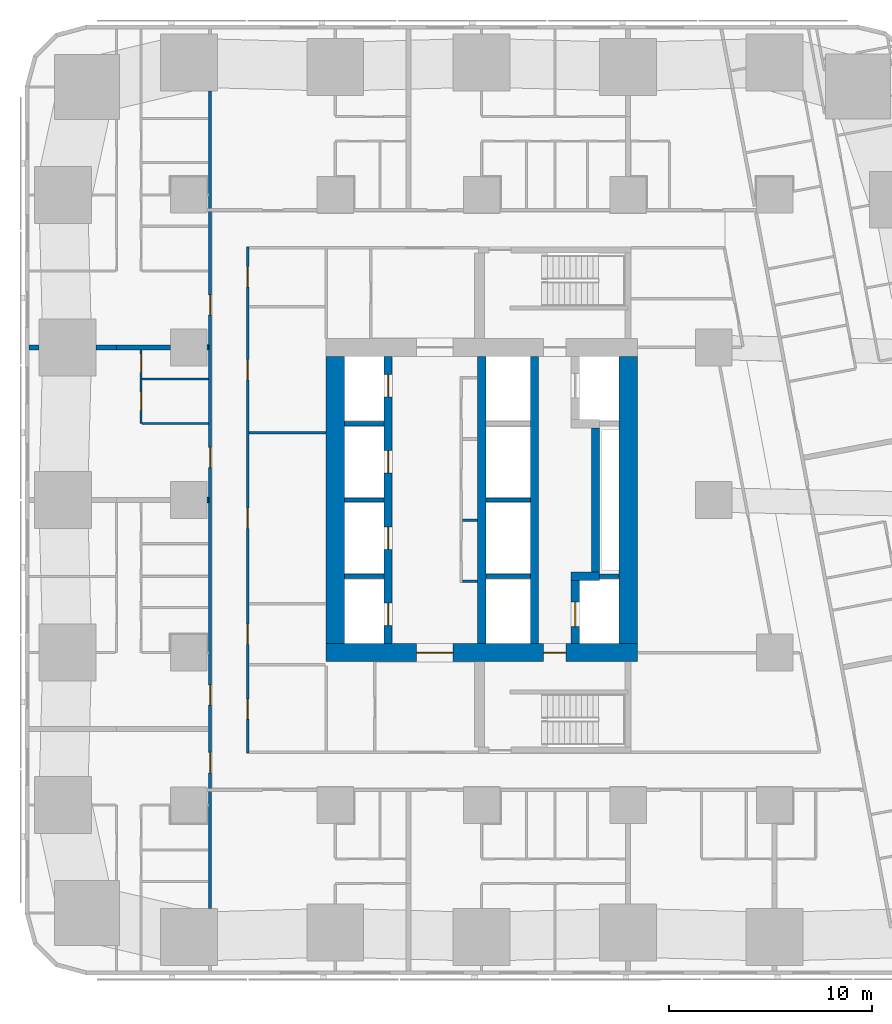
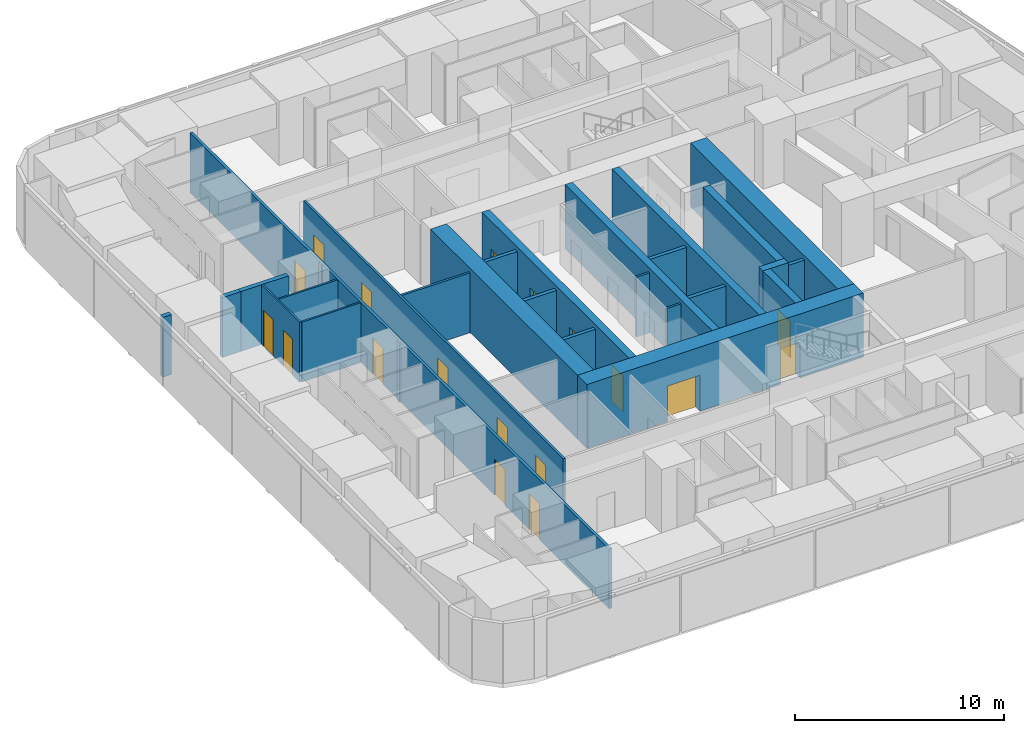
# One storey, part 6 of 16: 28 walls, 18 doors, 18 openings.
"""IFC4 building model written with IfcOpenShell, lengths in metres."""

from ifc_helpers import new_model, si_unit, direction, frame, frame_2d, origin, place, context, subcontext, project, spatial, rectangle, extrude, material, layer, layer_set, type_object, element, fill, save


model = new_model("IFC4")

# Units and contexts
model_context = context("Model", 3, precision=1e-05, world=origin(), true_north=direction((0.0, 1.0)))
body_context = subcontext(model_context, "Body", "Model", "MODEL_VIEW")
ifc_project = project(units=[si_unit("LENGTHUNIT", "METRE"), si_unit("AREAUNIT", "SQUARE_METRE"), si_unit("VOLUMEUNIT", "CUBIC_METRE"), si_unit("PLANEANGLEUNIT", "RADIAN"), si_unit("MASSUNIT", "GRAM", prefix="KILO")], contexts=[model_context])

# Site, building, storey
site_placement = place(None, origin())
site = spatial("IfcSite", under=ifc_project, at=site_placement, CompositionType="ELEMENT")
building_placement = place(site_placement, origin())
building = spatial("IfcBuilding", under=site, at=building_placement, Name="Sheger Commons Tower", CompositionType="ELEMENT")
storey_placement = place(building_placement, frame((0.0, 0.0, 53.75)))
storey = spatial("IfcBuildingStorey", under=building, at=storey_placement, Name="L13", CompositionType="ELEMENT", Elevation=53.75)

# Wall, openings, doors
ifc_material_1 = material(Name="Concrete C50/60", Category="concrete")
ifc_layer_1 = layer(ifc_material_1, 0.39990234375)
ifc_layer_set_1 = layer_set([ifc_layer_1], Name="CORE INNER WALL 400")
wall_type_1 = type_object("IfcWallType", Name="CORE INNER WALL 400", PredefinedType="SHEAR", material=ifc_layer_set_1)
wall_1_placement = place(storey_placement, frame((17.0, 15.449951171875, 0.0), z_axis=(0.0, 0.0, 1.0), x_axis=(0.0, 1.0, 0.0)))
wall_1 = element("IfcWall", 1, at=wall_1_placement, inside=storey, type_object=wall_type_1, Name="Core inner wall A L13", PredefinedType="SHEAR", context=body_context, shape_type="SweptSolid", body=[
    extrude(rectangle(XDim=14.10009765625, YDim=0.39990234375, at=frame_2d((7.050048828125, 0.0))), origin(), (0.0, 0.0, 1.0), 3.75),
])
opening_1_placement = place(wall_1_placement, frame((0.875, 0.0, 0.0)))
opening_1 = element("IfcOpeningElement", 2, at=opening_1_placement, cuts=wall_1, Name="Opening LD", PredefinedType="OPENING", context=body_context, shape_type="SweptSolid", body=[
    extrude(rectangle(XDim=1.10009765625, YDim=2.10009765625, at=frame_2d((0.550048828125, 1.050048828125))), frame((0.0, 0.2099609375, 0.0), z_axis=(0.0, -1.0, 0.0), x_axis=(1.0, 0.0, 0.0)), (0.0, 0.0, 1.0), 0.419921875),
])
opening_2_placement = place(wall_1_placement, frame((4.625, 0.0, 0.0)))
opening_2 = element("IfcOpeningElement", 3, at=opening_2_placement, cuts=wall_1, Name="Opening LD", PredefinedType="OPENING", context=body_context, shape_type="SweptSolid", body=[
    extrude(rectangle(XDim=1.10009765625, YDim=2.10009765625, at=frame_2d((0.550048828125, 1.050048828125))), frame((0.0, 0.2099609375, 0.0), z_axis=(0.0, -1.0, 0.0), x_axis=(1.0, 0.0, 0.0)), (0.0, 0.0, 1.0), 0.419921875),
])
opening_3_placement = place(wall_1_placement, frame((8.375, 0.0, 0.0)))
opening_3 = element("IfcOpeningElement", 4, at=opening_3_placement, cuts=wall_1, Name="Opening LD", PredefinedType="OPENING", context=body_context, shape_type="SweptSolid", body=[
    extrude(rectangle(XDim=1.10009765625, YDim=2.10009765625, at=frame_2d((0.550048828125, 1.050048828125))), frame((0.0, 0.2099609375, 0.0), z_axis=(0.0, -1.0, 0.0), x_axis=(1.0, 0.0, 0.0)), (0.0, 0.0, 1.0), 0.419921875),
])
opening_4_placement = place(wall_1_placement, frame((12.125, 0.0, 0.0)))
opening_4 = element("IfcOpeningElement", 5, at=opening_4_placement, cuts=wall_1, Name="Opening LD", PredefinedType="OPENING", context=body_context, shape_type="SweptSolid", body=[
    extrude(rectangle(XDim=1.10009765625, YDim=2.10009765625, at=frame_2d((0.550048828125, 1.050048828125))), frame((0.0, 0.2099609375, 0.0), z_axis=(0.0, -1.0, 0.0), x_axis=(1.0, 0.0, 0.0)), (0.0, 0.0, 1.0), 0.419921875),
])
ifc_material_2 = material(Name="Steel door set, fire rated", Category="steel")
door_type_1 = type_object("IfcDoorType", Name="LIFT LANDING DOOR 1100x2100", OperationType="DOUBLE_DOOR_SLIDING", PredefinedType="DOOR", material=ifc_material_2)
door_1_placement = place(opening_1_placement, origin())
door_1 = element("IfcDoor", 6, at=door_1_placement, inside=storey, type_object=door_type_1, Name="Lift LA1 landing door", OperationType="DOUBLE_DOOR_SLIDING", OverallHeight=2.10009765625, OverallWidth=1.10009765625, PredefinedType="DOOR", context=body_context, shape_type="SweptSolid", body=[
    extrude(rectangle(XDim=1.10009765625, YDim=2.10009765625, at=frame_2d((0.550048828125, 1.050048828125))), frame((0.0, 0.02490234375, 0.0), z_axis=(0.0, -1.0, 0.0), x_axis=(1.0, 0.0, 0.0)), (0.0, 0.0, 1.0), 0.050048828125),
])
fill(opening_1, door_1)
door_2_placement = place(opening_2_placement, origin())
door_2 = element("IfcDoor", 7, at=door_2_placement, inside=storey, type_object=door_type_1, Name="Lift LA2 landing door", OperationType="DOUBLE_DOOR_SLIDING", OverallHeight=2.10009765625, OverallWidth=1.10009765625, PredefinedType="DOOR", context=body_context, shape_type="SweptSolid", body=[
    extrude(rectangle(XDim=1.10009765625, YDim=2.10009765625, at=frame_2d((0.550048828125, 1.050048828125))), frame((0.0, 0.02490234375, 0.0), z_axis=(0.0, -1.0, 0.0), x_axis=(1.0, 0.0, 0.0)), (0.0, 0.0, 1.0), 0.050048828125),
])
fill(opening_2, door_2)
door_3_placement = place(opening_3_placement, origin())
door_3 = element("IfcDoor", 8, at=door_3_placement, inside=storey, type_object=door_type_1, Name="Lift LA3 landing door", OperationType="DOUBLE_DOOR_SLIDING", OverallHeight=2.10009765625, OverallWidth=1.10009765625, PredefinedType="DOOR", context=body_context, shape_type="SweptSolid", body=[
    extrude(rectangle(XDim=1.10009765625, YDim=2.10009765625, at=frame_2d((0.550048828125, 1.050048828125))), frame((0.0, 0.02490234375, 0.0), z_axis=(0.0, -1.0, 0.0), x_axis=(1.0, 0.0, 0.0)), (0.0, 0.0, 1.0), 0.050048828125),
])
fill(opening_3, door_3)
door_4_placement = place(opening_4_placement, origin())
door_4 = element("IfcDoor", 9, at=door_4_placement, inside=storey, type_object=door_type_1, Name="Lift LA4 landing door", OperationType="DOUBLE_DOOR_SLIDING", OverallHeight=2.10009765625, OverallWidth=1.10009765625, PredefinedType="DOOR", context=body_context, shape_type="SweptSolid", body=[
    extrude(rectangle(XDim=1.10009765625, YDim=2.10009765625, at=frame_2d((0.550048828125, 1.050048828125))), frame((0.0, 0.02490234375, 0.0), z_axis=(0.0, -1.0, 0.0), x_axis=(1.0, 0.0, 0.0)), (0.0, 0.0, 1.0), 0.050048828125),
])
fill(opening_4, door_4)

# Walls
for number, where, z_axis, x_axis, name in (
    (10, (21.60009765625, 15.449951171875, 0.0), (0.0, 0.0, 1.0), (0.0, 1.0, 0.0), "Core inner wall L L13"),
    (11, (24.199951171875, 15.449951171875, 0.0), (0.0, 0.0, 1.0), (0.0, 1.0, 0.0), "Core inner wall B L13"),
):
    element("IfcWall", number, at=place(storey_placement, frame(where, z_axis=z_axis, x_axis=x_axis)), inside=storey, type_object=wall_type_1, Name=name, PredefinedType="SHEAR", context=body_context, shape_type="SweptSolid", body=[
        extrude(rectangle(XDim=14.10009765625, YDim=0.39990234375, at=frame_2d((7.050048828125, 0.0))), origin(), (0.0, 0.0, 1.0), 3.75),
    ])

# Wall, opening, door
wall_2_placement = place(storey_placement, frame((26.199951171875, 15.449951171875, 0.0), z_axis=(0.0, 0.0, 1.0), x_axis=(0.0, 1.0, 0.0)))
wall_2 = element("IfcWall", 12, at=wall_2_placement, inside=storey, type_object=wall_type_1, Name="Core inner wall F L13", PredefinedType="SHEAR", context=body_context, shape_type="SweptSolid", body=[
    extrude(rectangle(XDim=3.10009765625, YDim=0.39990234375, at=frame_2d((1.550048828125, 0.0))), origin(), (0.0, 0.0, 1.0), 3.75),
])
opening_5_placement = place(wall_2_placement, frame((0.824951171875, 0.0, 0.0)))
opening_5 = element("IfcOpeningElement", 13, at=opening_5_placement, cuts=wall_2, Name="Opening LD2", PredefinedType="OPENING", context=body_context, shape_type="SweptSolid", body=[
    extrude(rectangle(XDim=1.199951171875, YDim=2.10009765625, at=frame_2d((0.60009765625, 1.050048828125))), frame((0.0, 0.2099609375, 0.0), z_axis=(0.0, -1.0, 0.0), x_axis=(1.0, 0.0, 0.0)), (0.0, 0.0, 1.0), 0.419921875),
])
ifc_material_3 = material(Name="Steel door set, fire rated", Category="steel")
door_type_2 = type_object("IfcDoorType", Name="FIREFIGHTING LIFT LANDING DOOR 1200x2100", OperationType="DOUBLE_DOOR_SLIDING", PredefinedType="DOOR", material=ifc_material_3)
door_5_placement = place(opening_5_placement, origin())
door_5 = element("IfcDoor", 14, at=door_5_placement, inside=storey, type_object=door_type_2, Name="Lift FL1 landing door", OperationType="DOUBLE_DOOR_SLIDING", OverallHeight=2.10009765625, OverallWidth=1.199951171875, PredefinedType="DOOR", context=body_context, shape_type="SweptSolid", body=[
    extrude(rectangle(XDim=1.199951171875, YDim=2.10009765625, at=frame_2d((0.60009765625, 1.050048828125))), frame((0.0, 0.02490234375, 0.0), z_axis=(0.0, -1.0, 0.0), x_axis=(1.0, 0.0, 0.0)), (0.0, 0.0, 1.0), 0.050048828125),
])
fill(opening_5, door_5)

# Walls
wall_3_placement = place(storey_placement, frame((26.0, 18.75, 0.0), z_axis=(0.0, 0.0, 1.0), x_axis=(1.0, 0.0, 0.0)))
element("IfcWall", 15, at=wall_3_placement, inside=storey, type_object=wall_type_1, Name="Core inner wall F south return L13", PredefinedType="SHEAR", context=body_context, shape_type="SweptSolid", body=[
    extrude(rectangle(XDim=1.39990234375, YDim=0.39990234375, at=frame_2d((0.699951171875, 0.0))), origin(), (0.0, 0.0, 1.0), 3.75),
])
wall_4_placement = place(storey_placement, frame((27.199951171875, 18.949951171875, 0.0), z_axis=(0.0, 0.0, 1.0), x_axis=(0.0, 1.0, 0.0)))
element("IfcWall", 16, at=wall_4_placement, inside=storey, type_object=wall_type_1, Name="Core inner wall F middle L13", PredefinedType="SHEAR", context=body_context, shape_type="SweptSolid", body=[
    extrude(rectangle(XDim=7.10009765625, YDim=0.39990234375, at=frame_2d((3.550048828125, 0.0))), origin(), (0.0, 0.0, 1.0), 3.75),
])

# Wall, openings, doors
ifc_material_4 = material(Name="Concrete C50/60", Category="concrete")
ifc_layer_2 = layer(ifc_material_4, 0.89990234375)
ifc_layer_set_2 = layer_set([ifc_layer_2], Name="CORE WALL 900")
wall_type_2 = type_object("IfcWallType", Name="CORE WALL 900", PredefinedType="SHEAR", material=ifc_layer_set_2)
wall_5_placement = place(storey_placement, frame((13.949951171875, 15.0, 0.0), z_axis=(0.0, 0.0, 1.0), x_axis=(1.0, 0.0, 0.0)))
wall_5 = element("IfcWall", 17, at=wall_5_placement, inside=storey, type_object=wall_type_2, Name="Core wall south L13", PredefinedType="SHEAR", context=body_context, shape_type="SweptSolid", body=[
    extrude(rectangle(XDim=15.300048828125, YDim=0.89990234375, at=frame_2d((7.64990234375, 0.0))), origin(), (0.0, 0.0, 1.0), 3.75),
])
opening_6_placement = place(wall_5_placement, frame((4.449951171875, 0.0, 0.0)))
opening_6 = element("IfcOpeningElement", 18, at=opening_6_placement, cuts=wall_5, Name="Opening D6", PredefinedType="OPENING", context=body_context, shape_type="SweptSolid", body=[
    extrude(rectangle(XDim=1.800048828125, YDim=2.10009765625, at=frame_2d((0.89990234375, 1.050048828125))), frame((0.0, 0.4599609375, 0.0), z_axis=(0.0, -1.0, 0.0), x_axis=(1.0, 0.0, 0.0)), (0.0, 0.0, 1.0), 0.919921875),
])
opening_7_placement = place(wall_5_placement, frame((10.699951171875, 0.0, 0.0)))
opening_7 = element("IfcOpeningElement", 19, at=opening_7_placement, cuts=wall_5, Name="Opening D5", PredefinedType="OPENING", context=body_context, shape_type="SweptSolid", body=[
    extrude(rectangle(XDim=1.10009765625, YDim=2.10009765625, at=frame_2d((0.550048828125, 1.050048828125))), frame((0.0, 0.4599609375, 0.0), z_axis=(0.0, -1.0, 0.0), x_axis=(1.0, 0.0, 0.0)), (0.0, 0.0, 1.0), 0.919921875),
])
ifc_material_5 = material(Name="Steel door set, fire rated", Category="steel")
door_type_3 = type_object("IfcDoorType", Name="LOBBY DOUBLE DOOR 1800x2100", OperationType="DOUBLE_DOOR_SINGLE_SWING", PredefinedType="DOOR", material=ifc_material_5)
door_6_placement = place(opening_6_placement, origin())
door_6 = element("IfcDoor", 20, at=door_6_placement, inside=storey, type_object=door_type_3, Name="Lift lobby door", OperationType="DOUBLE_DOOR_SINGLE_SWING", OverallHeight=2.10009765625, OverallWidth=1.800048828125, PredefinedType="DOOR", context=body_context, shape_type="SweptSolid", body=[
    extrude(rectangle(XDim=1.800048828125, YDim=2.10009765625, at=frame_2d((0.89990234375, 1.050048828125))), frame((0.0, 0.02490234375, 0.0), z_axis=(0.0, -1.0, 0.0), x_axis=(1.0, 0.0, 0.0)), (0.0, 0.0, 1.0), 0.050048828125),
])
fill(opening_6, door_6)
ifc_material_6 = material(Name="Steel door set, fire rated", Category="steel")
door_type_4 = type_object("IfcDoorType", Name="STAIR DOOR 1100x2100", OperationType="NOTDEFINED", PredefinedType="DOOR", material=ifc_material_6)
door_7_placement = place(opening_7_placement, origin())
door_7 = element("IfcDoor", 21, at=door_7_placement, inside=storey, type_object=door_type_4, Name="Fire-fighting lobby door", OperationType="SINGLE_SWING_LEFT", OverallHeight=2.10009765625, OverallWidth=1.10009765625, PredefinedType="DOOR", context=body_context, shape_type="SweptSolid", body=[
    extrude(rectangle(XDim=1.10009765625, YDim=2.10009765625, at=frame_2d((0.550048828125, 1.050048828125))), frame((0.0, 0.02490234375, 0.0), z_axis=(0.0, -1.0, 0.0), x_axis=(1.0, 0.0, 0.0)), (0.0, 0.0, 1.0), 0.050048828125),
])
fill(opening_7, door_7)

# Walls
for number, where, z_axis, x_axis, name in (
    (22, (14.39990234375, 15.449951171875, 0.0), (0.0, 0.0, 1.0), (0.0, 1.0, 0.0), "Core wall west L13"),
    (23, (28.800048828125, 15.449951171875, 0.0), (0.0, 0.0, 1.0), (0.0, 1.0, 0.0), "Core wall east L13"),
):
    element("IfcWall", number, at=place(storey_placement, frame(where, z_axis=z_axis, x_axis=x_axis)), inside=storey, type_object=wall_type_2, Name=name, PredefinedType="SHEAR", context=body_context, shape_type="SweptSolid", body=[
        extrude(rectangle(XDim=14.10009765625, YDim=0.89990234375, at=frame_2d((7.050048828125, 0.0))), origin(), (0.0, 0.0, 1.0), 3.75),
    ])

# Wall, openings, doors
ifc_material_7 = material(Name="Hollow concrete block masonry, skimmed both sides", Category="masonry")
ifc_layer_3 = layer(ifc_material_7, 0.14990234375)
ifc_layer_set_3 = layer_set([ifc_layer_3], Name="CORRIDOR WALL 150")
wall_type_3 = type_object("IfcWallType", Name="CORRIDOR WALL 150", PredefinedType="SOLIDWALL", material=ifc_layer_set_3)
wall_6_placement = place(storey_placement, frame((8.25, 2.426025390625, 0.0), z_axis=(0.0, 0.0, 1.0), x_axis=(0.0, 1.0, 0.0)))
wall_6 = element("IfcWall", 24, at=wall_6_placement, inside=storey, type_object=wall_type_3, Name="Corridor wall L13", PredefinedType="SOLIDWALL", context=body_context, shape_type="SweptSolid", body=[
    extrude(rectangle(XDim=40.173095703125, YDim=0.14990234375, at=frame_2d((20.08642578125, 0.0))), origin(), (0.0, 0.0, 1.0), 3.5),
])
opening_8_placement = place(wall_6_placement, frame((6.660888671875, 0.0, 0.0)))
opening_8 = element("IfcOpeningElement", 25, at=opening_8_placement, cuts=wall_6, Name="Opening D1", PredefinedType="OPENING", context=body_context, shape_type="SweptSolid", body=[
    extrude(rectangle(XDim=1.0, YDim=2.10009765625, at=frame_2d((0.5, 1.050048828125))), frame((0.0, 0.0849609375, 0.0), z_axis=(0.0, -1.0, 0.0), x_axis=(1.0, 0.0, 0.0)), (0.0, 0.0, 1.0), 0.169921875),
])
opening_9_placement = place(wall_6_placement, frame((9.986083984375, 0.0, 0.0)))
opening_9 = element("IfcOpeningElement", 26, at=opening_9_placement, cuts=wall_6, Name="Opening D1", PredefinedType="OPENING", context=body_context, shape_type="SweptSolid", body=[
    extrude(rectangle(XDim=1.0, YDim=2.10009765625, at=frame_2d((0.5, 1.050048828125))), frame((0.0, 0.0849609375, 0.0), z_axis=(0.0, -1.0, 0.0), x_axis=(1.0, 0.0, 0.0)), (0.0, 0.0, 1.0), 0.169921875),
])
opening_10_placement = place(wall_6_placement, frame((21.662109375, 0.0, 0.0)))
opening_10 = element("IfcOpeningElement", 27, at=opening_10_placement, cuts=wall_6, Name="Opening D1", PredefinedType="OPENING", context=body_context, shape_type="SweptSolid", body=[
    extrude(rectangle(XDim=1.0, YDim=2.10009765625, at=frame_2d((0.5, 1.050048828125))), frame((0.0, 0.0849609375, 0.0), z_axis=(0.0, -1.0, 0.0), x_axis=(1.0, 0.0, 0.0)), (0.0, 0.0, 1.0), 0.169921875),
])
opening_11_placement = place(wall_6_placement, frame((29.160888671875, 0.0, 0.0)))
opening_11 = element("IfcOpeningElement", 28, at=opening_11_placement, cuts=wall_6, Name="Opening D1", PredefinedType="OPENING", context=body_context, shape_type="SweptSolid", body=[
    extrude(rectangle(XDim=1.0, YDim=2.10009765625, at=frame_2d((0.5, 1.050048828125))), frame((0.0, 0.0849609375, 0.0), z_axis=(0.0, -1.0, 0.0), x_axis=(1.0, 0.0, 0.0)), (0.0, 0.0, 1.0), 0.169921875),
])
ifc_material_8 = material(Name="Steel door set, fire rated", Category="steel")
door_type_5 = type_object("IfcDoorType", Name="FLAT ENTRANCE DOOR 1000x2100", OperationType="NOTDEFINED", PredefinedType="DOOR", material=ifc_material_8)
door_8_placement = place(opening_8_placement, origin())
door_8 = element("IfcDoor", 29, at=door_8_placement, inside=storey, type_object=door_type_5, Name="Flat entrance door", OperationType="SINGLE_SWING_RIGHT", OverallHeight=2.10009765625, OverallWidth=1.0, PredefinedType="DOOR", context=body_context, shape_type="SweptSolid", body=[
    extrude(rectangle(XDim=1.0, YDim=2.10009765625, at=frame_2d((0.5, 1.050048828125))), frame((0.0, 0.02490234375, 0.0), z_axis=(0.0, -1.0, 0.0), x_axis=(1.0, 0.0, 0.0)), (0.0, 0.0, 1.0), 0.050048828125),
])
fill(opening_8, door_8)
door_9_placement = place(opening_9_placement, origin())
door_9 = element("IfcDoor", 30, at=door_9_placement, inside=storey, type_object=door_type_5, Name="Flat entrance door", OperationType="SINGLE_SWING_LEFT", OverallHeight=2.10009765625, OverallWidth=1.0, PredefinedType="DOOR", context=body_context, shape_type="SweptSolid", body=[
    extrude(rectangle(XDim=1.0, YDim=2.10009765625, at=frame_2d((0.5, 1.050048828125))), frame((0.0, 0.02490234375, 0.0), z_axis=(0.0, -1.0, 0.0), x_axis=(1.0, 0.0, 0.0)), (0.0, 0.0, 1.0), 0.050048828125),
])
fill(opening_9, door_9)
door_10_placement = place(opening_10_placement, origin())
door_10 = element("IfcDoor", 31, at=door_10_placement, inside=storey, type_object=door_type_5, Name="Flat entrance door", OperationType="SINGLE_SWING_RIGHT", OverallHeight=2.10009765625, OverallWidth=1.0, PredefinedType="DOOR", context=body_context, shape_type="SweptSolid", body=[
    extrude(rectangle(XDim=1.0, YDim=2.10009765625, at=frame_2d((0.5, 1.050048828125))), frame((0.0, 0.02490234375, 0.0), z_axis=(0.0, -1.0, 0.0), x_axis=(1.0, 0.0, 0.0)), (0.0, 0.0, 1.0), 0.050048828125),
])
fill(opening_10, door_10)
door_11_placement = place(opening_11_placement, origin())
door_11 = element("IfcDoor", 32, at=door_11_placement, inside=storey, type_object=door_type_5, Name="Flat entrance door", OperationType="SINGLE_SWING_RIGHT", OverallHeight=2.10009765625, OverallWidth=1.0, PredefinedType="DOOR", context=body_context, shape_type="SweptSolid", body=[
    extrude(rectangle(XDim=1.0, YDim=2.10009765625, at=frame_2d((0.5, 1.050048828125))), frame((0.0, 0.02490234375, 0.0), z_axis=(0.0, -1.0, 0.0), x_axis=(1.0, 0.0, 0.0)), (0.0, 0.0, 1.0), 0.050048828125),
])
fill(opening_11, door_11)

# Walls
ifc_material_9 = material(Name="Dense concrete block masonry, plastered both sides (separating wall between flats)", Category="masonry")
ifc_layer_4 = layer(ifc_material_9, 0.25)
ifc_layer_set_4 = layer_set([ifc_layer_4], Name="DEMISING WALL 250")
wall_type_4 = type_object("IfcWallType", Name="DEMISING WALL 250", PredefinedType="SOLIDWALL", material=ifc_layer_set_4)
wall_7_placement = place(storey_placement, frame((8.10107421875, 22.5, 0.0), z_axis=(0.0, 0.0, 1.0), x_axis=(1.0, 0.0, 0.0)))
element("IfcWall", 33, at=wall_7_placement, inside=storey, type_object=wall_type_4, Name="Demising wall L13", PredefinedType="SOLIDWALL", context=body_context, shape_type="SweptSolid", body=[
    extrude(rectangle(XDim=0.073974609375, YDim=0.25, at=frame_2d((0.037109375, 0.0))), origin(), (0.0, 0.0, 1.0), 3.5),
])
wall_8_placement = place(storey_placement, frame((-0.64990234375, 30.0, 0.0), z_axis=(0.0, 0.0, 1.0), x_axis=(1.0, 0.0, 0.0)))
element("IfcWall", 34, at=wall_8_placement, inside=storey, type_object=wall_type_4, Name="Demising wall L13", PredefinedType="SOLIDWALL", context=body_context, shape_type="SweptSolid", body=[
    extrude(rectangle(XDim=0.473876953125, YDim=0.25, at=frame_2d((0.23681640625, 0.0))), origin(), (0.0, 0.0, 1.0), 3.5),
])
wall_9_placement = place(storey_placement, frame((2.6259765625, 30.0, 0.0), z_axis=(0.0, 0.0, 1.0), x_axis=(1.0, 0.0, 0.0)))
element("IfcWall", 35, at=wall_9_placement, inside=storey, type_object=wall_type_4, Name="Demising wall L13", PredefinedType="SOLIDWALL", context=body_context, shape_type="SweptSolid", body=[
    extrude(rectangle(XDim=1.02392578125, YDim=0.25, at=frame_2d((0.511962890625, 0.0))), origin(), (0.0, 0.0, 1.0), 3.5),
])
wall_10_placement = place(storey_placement, frame((3.64990234375, 30.0, 0.0), z_axis=(0.0, 0.0, 1.0), x_axis=(1.0, 0.0, 0.0)))
element("IfcWall", 36, at=wall_10_placement, inside=storey, type_object=wall_type_4, Name="Demising wall L13", PredefinedType="SOLIDWALL", context=body_context, shape_type="SweptSolid", body=[
    extrude(rectangle(XDim=2.649169921875, YDim=0.25, at=frame_2d((1.32470703125, 0.0))), origin(), (0.0, 0.0, 1.0), 3.5),
])
wall_11_placement = place(storey_placement, frame((8.10107421875, 30.0, 0.0), z_axis=(0.0, 0.0, 1.0), x_axis=(1.0, 0.0, 0.0)))
element("IfcWall", 37, at=wall_11_placement, inside=storey, type_object=wall_type_4, Name="Demising wall L13", PredefinedType="SOLIDWALL", context=body_context, shape_type="SweptSolid", body=[
    extrude(rectangle(XDim=0.073974609375, YDim=0.25, at=frame_2d((0.037109375, 0.0))), origin(), (0.0, 0.0, 1.0), 3.5),
])

# Wall, openings, doors
ifc_material_10 = material(Name="Gypsum board on steel studs", Category="steel")
ifc_layer_5 = layer(ifc_material_10, 0.10009765625)
ifc_layer_set_5 = layer_set([ifc_layer_5], Name="PARTITION 100")
wall_type_5 = type_object("IfcWallType", Name="PARTITION 100", PredefinedType="PARTITIONING", material=ifc_layer_set_5)
wall_12_placement = place(storey_placement, frame((4.85009765625, 26.25, 0.0), z_axis=(0.0, 0.0, 1.0), x_axis=(0.0, 1.0, 0.0)))
wall_12 = element("IfcWall", 38, at=wall_12_placement, inside=storey, type_object=wall_type_5, Name="Partition L13", PredefinedType="PARTITIONING", context=body_context, shape_type="SweptSolid", body=[
    extrude(rectangle(XDim=3.625, YDim=0.10009765625, at=frame_2d((1.8125, 0.0))), origin(), (0.0, 0.0, 1.0), 3.5),
])
opening_12_placement = place(wall_12_placement, frame((0.655029296875, 0.0, 0.0)))
opening_12 = element("IfcOpeningElement", 39, at=opening_12_placement, cuts=wall_12, Name="Opening D2", PredefinedType="OPENING", context=body_context, shape_type="SweptSolid", body=[
    extrude(rectangle(XDim=0.89990234375, YDim=2.10009765625, at=frame_2d((0.449951171875, 1.050048828125))), frame((0.0, 0.06005859375, 0.0), z_axis=(0.0, -1.0, 0.0), x_axis=(1.0, 0.0, 0.0)), (0.0, 0.0, 1.0), 0.1201171875),
])
opening_13_placement = place(wall_12_placement, frame((2.530029296875, 0.0, 0.0)))
opening_13 = element("IfcOpeningElement", 40, at=opening_13_placement, cuts=wall_12, Name="Opening D2", PredefinedType="OPENING", context=body_context, shape_type="SweptSolid", body=[
    extrude(rectangle(XDim=0.89990234375, YDim=2.10009765625, at=frame_2d((0.449951171875, 1.050048828125))), frame((0.0, 0.06005859375, 0.0), z_axis=(0.0, -1.0, 0.0), x_axis=(1.0, 0.0, 0.0)), (0.0, 0.0, 1.0), 0.1201171875),
])
ifc_material_11 = material(Name="Timber door set", Category="wood")
door_type_6 = type_object("IfcDoorType", Name="INTERNAL DOOR 900x2100", OperationType="NOTDEFINED", PredefinedType="DOOR", material=ifc_material_11)
door_12_placement = place(opening_12_placement, origin())
door_12 = element("IfcDoor", 41, at=door_12_placement, inside=storey, type_object=door_type_6, Name="Bathroom door", OperationType="SINGLE_SWING_RIGHT", OverallHeight=2.10009765625, OverallWidth=0.89990234375, PredefinedType="DOOR", context=body_context, shape_type="SweptSolid", body=[
    extrude(rectangle(XDim=0.89990234375, YDim=2.10009765625, at=frame_2d((0.449951171875, 1.050048828125))), frame((0.0, 0.02490234375, 0.0), z_axis=(0.0, -1.0, 0.0), x_axis=(1.0, 0.0, 0.0)), (0.0, 0.0, 1.0), 0.050048828125),
])
fill(opening_12, door_12)
door_13_placement = place(opening_13_placement, origin())
door_13 = element("IfcDoor", 42, at=door_13_placement, inside=storey, type_object=door_type_6, Name="Store door", OperationType="SINGLE_SWING_LEFT", OverallHeight=2.10009765625, OverallWidth=0.89990234375, PredefinedType="DOOR", context=body_context, shape_type="SweptSolid", body=[
    extrude(rectangle(XDim=0.89990234375, YDim=2.10009765625, at=frame_2d((0.449951171875, 1.050048828125))), frame((0.0, 0.02490234375, 0.0), z_axis=(0.0, -1.0, 0.0), x_axis=(1.0, 0.0, 0.0)), (0.0, 0.0, 1.0), 0.050048828125),
])
fill(opening_13, door_13)

# Walls
for number, where, z_axis, x_axis, name in (
    (43, (4.89990234375, 26.25, 0.0), (0.0, 0.0, 1.0), (1.0, 0.0, 0.0), "Partition L13"),
    (44, (4.89990234375, 28.4599609375, 0.0), (0.0, 0.0, 1.0), (1.0, 0.0, 0.0), "Partition L13"),
):
    element("IfcWall", number, at=place(storey_placement, frame(where, z_axis=z_axis, x_axis=x_axis)), inside=storey, type_object=wall_type_5, Name=name, PredefinedType="PARTITIONING", context=body_context, shape_type="SweptSolid", body=[
        extrude(rectangle(XDim=3.275146484375, YDim=0.10009765625, at=frame_2d((1.6376953125, 0.0))), origin(), (0.0, 0.0, 1.0), 3.5),
    ])

# Wall, openings, doors
ifc_material_12 = material(Name="Gypsum board on steel studs, two layers each side, fire rated", Category="steel")
ifc_layer_6 = layer(ifc_material_12, 0.125)
ifc_layer_set_6 = layer_set([ifc_layer_6], Name="SERVICE WALL 125")
wall_type_6 = type_object("IfcWallType", Name="SERVICE WALL 125", PredefinedType="PARTITIONING", material=ifc_layer_set_6)
wall_13_placement = place(storey_placement, frame((10.10009765625, 10.050048828125, 0.0), z_axis=(0.0, 0.0, 1.0), x_axis=(0.0, 1.0, 0.0)))
wall_13 = element("IfcWall", 45, at=wall_13_placement, inside=storey, type_object=wall_type_6, Name="Service room wall L13", PredefinedType="PARTITIONING", context=body_context, shape_type="SweptSolid", body=[
    extrude(rectangle(XDim=24.89990234375, YDim=0.125, at=frame_2d((12.449951171875, 0.0))), origin(), (0.0, 0.0, 1.0), 3.5),
])
opening_14_placement = place(wall_13_placement, frame((1.675048828125, 0.0, 0.0)))
opening_14 = element("IfcOpeningElement", 46, at=opening_14_placement, cuts=wall_13, Name="Opening D4", PredefinedType="OPENING", context=body_context, shape_type="SweptSolid", body=[
    extrude(rectangle(XDim=1.0, YDim=2.10009765625, at=frame_2d((0.5, 1.050048828125))), frame((0.0, 0.072509765625, 0.0), z_axis=(0.0, -1.0, 0.0), x_axis=(1.0, 0.0, 0.0)), (0.0, 0.0, 1.0), 0.14501953125),
])
opening_15_placement = place(wall_13_placement, frame((5.35009765625, 0.0, 0.0)))
opening_15 = element("IfcOpeningElement", 47, at=opening_15_placement, cuts=wall_13, Name="Opening D4", PredefinedType="OPENING", context=body_context, shape_type="SweptSolid", body=[
    extrude(rectangle(XDim=1.0, YDim=2.10009765625, at=frame_2d((0.5, 1.050048828125))), frame((0.0, 0.072509765625, 0.0), z_axis=(0.0, -1.0, 0.0), x_axis=(1.0, 0.0, 0.0)), (0.0, 0.0, 1.0), 0.14501953125),
])
opening_16_placement = place(wall_13_placement, frame((11.050048828125, 0.0, 0.0)))
opening_16 = element("IfcOpeningElement", 48, at=opening_16_placement, cuts=wall_13, Name="Opening D4", PredefinedType="OPENING", context=body_context, shape_type="SweptSolid", body=[
    extrude(rectangle(XDim=1.0, YDim=2.10009765625, at=frame_2d((0.5, 1.050048828125))), frame((0.0, 0.072509765625, 0.0), z_axis=(0.0, -1.0, 0.0), x_axis=(1.0, 0.0, 0.0)), (0.0, 0.0, 1.0), 0.14501953125),
])
opening_17_placement = place(wall_13_placement, frame((18.35009765625, 0.0, 0.0)))
opening_17 = element("IfcOpeningElement", 49, at=opening_17_placement, cuts=wall_13, Name="Opening D4", PredefinedType="OPENING", context=body_context, shape_type="SweptSolid", body=[
    extrude(rectangle(XDim=1.0, YDim=2.10009765625, at=frame_2d((0.5, 1.050048828125))), frame((0.0, 0.072509765625, 0.0), z_axis=(0.0, -1.0, 0.0), x_axis=(1.0, 0.0, 0.0)), (0.0, 0.0, 1.0), 0.14501953125),
])
opening_18_placement = place(wall_13_placement, frame((22.925048828125, 0.0, 0.0)))
opening_18 = element("IfcOpeningElement", 50, at=opening_18_placement, cuts=wall_13, Name="Opening D4", PredefinedType="OPENING", context=body_context, shape_type="SweptSolid", body=[
    extrude(rectangle(XDim=1.0, YDim=2.10009765625, at=frame_2d((0.5, 1.050048828125))), frame((0.0, 0.072509765625, 0.0), z_axis=(0.0, -1.0, 0.0), x_axis=(1.0, 0.0, 0.0)), (0.0, 0.0, 1.0), 0.14501953125),
])
ifc_material_13 = material(Name="Steel door set, fire rated", Category="steel")
door_type_7 = type_object("IfcDoorType", Name="SERVICE DOOR 1000x2100", OperationType="NOTDEFINED", PredefinedType="DOOR", material=ifc_material_13)
door_14_placement = place(opening_14_placement, origin())
door_14 = element("IfcDoor", 51, at=door_14_placement, inside=storey, type_object=door_type_7, Name="Refuse chute room door", OperationType="SINGLE_SWING_RIGHT", OverallHeight=2.10009765625, OverallWidth=1.0, PredefinedType="DOOR", context=body_context, shape_type="SweptSolid", body=[
    extrude(rectangle(XDim=1.0, YDim=2.10009765625, at=frame_2d((0.5, 1.050048828125))), frame((0.0, 0.02490234375, 0.0), z_axis=(0.0, -1.0, 0.0), x_axis=(1.0, 0.0, 0.0)), (0.0, 0.0, 1.0), 0.050048828125),
])
fill(opening_14, door_14)
door_15_placement = place(opening_15_placement, origin())
door_15 = element("IfcDoor", 52, at=door_15_placement, inside=storey, type_object=door_type_7, Name="Recycling room door", OperationType="SINGLE_SWING_LEFT", OverallHeight=2.10009765625, OverallWidth=1.0, PredefinedType="DOOR", context=body_context, shape_type="SweptSolid", body=[
    extrude(rectangle(XDim=1.0, YDim=2.10009765625, at=frame_2d((0.5, 1.050048828125))), frame((0.0, 0.02490234375, 0.0), z_axis=(0.0, -1.0, 0.0), x_axis=(1.0, 0.0, 0.0)), (0.0, 0.0, 1.0), 0.050048828125),
])
fill(opening_15, door_15)
door_16_placement = place(opening_16_placement, origin())
door_16 = element("IfcDoor", 53, at=door_16_placement, inside=storey, type_object=door_type_7, Name="Children's play room door", OperationType="SINGLE_SWING_LEFT", OverallHeight=2.10009765625, OverallWidth=1.0, PredefinedType="DOOR", context=body_context, shape_type="SweptSolid", body=[
    extrude(rectangle(XDim=1.0, YDim=2.10009765625, at=frame_2d((0.5, 1.050048828125))), frame((0.0, 0.02490234375, 0.0), z_axis=(0.0, -1.0, 0.0), x_axis=(1.0, 0.0, 0.0)), (0.0, 0.0, 1.0), 0.050048828125),
])
fill(opening_16, door_16)
door_17_placement = place(opening_17_placement, origin())
door_17 = element("IfcDoor", 54, at=door_17_placement, inside=storey, type_object=door_type_7, Name="Laundry and drying room door", OperationType="SINGLE_SWING_LEFT", OverallHeight=2.10009765625, OverallWidth=1.0, PredefinedType="DOOR", context=body_context, shape_type="SweptSolid", body=[
    extrude(rectangle(XDim=1.0, YDim=2.10009765625, at=frame_2d((0.5, 1.050048828125))), frame((0.0, 0.02490234375, 0.0), z_axis=(0.0, -1.0, 0.0), x_axis=(1.0, 0.0, 0.0)), (0.0, 0.0, 1.0), 0.050048828125),
])
fill(opening_17, door_17)
door_18_placement = place(opening_18_placement, origin())
door_18 = element("IfcDoor", 55, at=door_18_placement, inside=storey, type_object=door_type_7, Name="Cleaner's store door", OperationType="SINGLE_SWING_LEFT", OverallHeight=2.10009765625, OverallWidth=1.0, PredefinedType="DOOR", context=body_context, shape_type="SweptSolid", body=[
    extrude(rectangle(XDim=1.0, YDim=2.10009765625, at=frame_2d((0.5, 1.050048828125))), frame((0.0, 0.02490234375, 0.0), z_axis=(0.0, -1.0, 0.0), x_axis=(1.0, 0.0, 0.0)), (0.0, 0.0, 1.0), 0.050048828125),
])
fill(opening_18, door_18)

# Walls
wall_14_placement = place(storey_placement, frame((10.1630859375, 25.800048828125, 0.0), z_axis=(0.0, 0.0, 1.0), x_axis=(1.0, 0.0, 0.0)))
element("IfcWall", 56, at=wall_14_placement, inside=storey, type_object=wall_type_6, Name="Service room wall L13", PredefinedType="PARTITIONING", context=body_context, shape_type="SweptSolid", body=[
    extrude(rectangle(XDim=3.786865234375, YDim=0.125, at=frame_2d((1.8935546875, 0.0))), origin(), (0.0, 0.0, 1.0), 3.5),
])
for number, where, z_axis, x_axis, name in (
    (57, (20.6630859375, 18.5, 0.0), (0.0, 0.0, 1.0), (1.0, 0.0, 0.0), "Service room wall L13"),
    (58, (20.6630859375, 21.5, 0.0), (0.0, 0.0, 1.0), (1.0, 0.0, 0.0), "Service room wall L13"),
):
    element("IfcWall", number, at=place(storey_placement, frame(where, z_axis=z_axis, x_axis=x_axis)), inside=storey, type_object=wall_type_6, Name=name, PredefinedType="PARTITIONING", context=body_context, shape_type="SweptSolid", body=[
        extrude(rectangle(XDim=0.73681640625, YDim=0.125, at=frame_2d((0.368408203125, 0.0))), origin(), (0.0, 0.0, 1.0), 3.5),
    ])
ifc_material_14 = material(Name="Hollow concrete block masonry", Category="masonry")
ifc_layer_7 = layer(ifc_material_14, 0.199951171875)
ifc_layer_set_7 = layer_set([ifc_layer_7], Name="SHAFT WALL 200")
wall_type_7 = type_object("IfcWallType", Name="SHAFT WALL 200", PredefinedType="SOLIDWALL", material=ifc_layer_set_7)
wall_15_placement = place(storey_placement, frame((14.85009765625, 18.75, 0.0), z_axis=(0.0, 0.0, 1.0), x_axis=(1.0, 0.0, 0.0)))
element("IfcWall", 59, at=wall_15_placement, inside=storey, type_object=wall_type_7, Name="Lift shaft wall L13", PredefinedType="SOLIDWALL", context=body_context, shape_type="SweptSolid", body=[
    extrude(rectangle(XDim=1.949951171875, YDim=0.199951171875, at=frame_2d((0.97509765625, 0.0))), origin(), (0.0, 0.0, 1.0), 3.5),
])
wall_16_placement = place(storey_placement, frame((21.800048828125, 18.75, 0.0), z_axis=(0.0, 0.0, 1.0), x_axis=(1.0, 0.0, 0.0)))
element("IfcWall", 60, at=wall_16_placement, inside=storey, type_object=wall_type_7, Name="Lift shaft wall L13", PredefinedType="SOLIDWALL", context=body_context, shape_type="SweptSolid", body=[
    extrude(rectangle(XDim=2.199951171875, YDim=0.199951171875, at=frame_2d((1.10009765625, 0.0))), origin(), (0.0, 0.0, 1.0), 3.5),
])
wall_17_placement = place(storey_placement, frame((14.85009765625, 22.5, 0.0), z_axis=(0.0, 0.0, 1.0), x_axis=(1.0, 0.0, 0.0)))
element("IfcWall", 61, at=wall_17_placement, inside=storey, type_object=wall_type_7, Name="Lift shaft wall L13", PredefinedType="SOLIDWALL", context=body_context, shape_type="SweptSolid", body=[
    extrude(rectangle(XDim=1.949951171875, YDim=0.199951171875, at=frame_2d((0.97509765625, 0.0))), origin(), (0.0, 0.0, 1.0), 3.5),
])
wall_18_placement = place(storey_placement, frame((21.800048828125, 22.5, 0.0), z_axis=(0.0, 0.0, 1.0), x_axis=(1.0, 0.0, 0.0)))
element("IfcWall", 62, at=wall_18_placement, inside=storey, type_object=wall_type_7, Name="Lift shaft wall L13", PredefinedType="SOLIDWALL", context=body_context, shape_type="SweptSolid", body=[
    extrude(rectangle(XDim=2.199951171875, YDim=0.199951171875, at=frame_2d((1.10009765625, 0.0))), origin(), (0.0, 0.0, 1.0), 3.5),
])
wall_19_placement = place(storey_placement, frame((14.85009765625, 26.25, 0.0), z_axis=(0.0, 0.0, 1.0), x_axis=(1.0, 0.0, 0.0)))
element("IfcWall", 63, at=wall_19_placement, inside=storey, type_object=wall_type_7, Name="Lift shaft wall L13", PredefinedType="SOLIDWALL", context=body_context, shape_type="SweptSolid", body=[
    extrude(rectangle(XDim=1.949951171875, YDim=0.199951171875, at=frame_2d((0.97509765625, 0.0))), origin(), (0.0, 0.0, 1.0), 3.5),
])
wall_20_placement = place(storey_placement, frame((27.39990234375, 18.75, 0.0), z_axis=(0.0, 0.0, 1.0), x_axis=(1.0, 0.0, 0.0)))
element("IfcWall", 64, at=wall_20_placement, inside=storey, type_object=wall_type_7, Name="Lift shaft wall L13", PredefinedType="SOLIDWALL", context=body_context, shape_type="SweptSolid", body=[
    extrude(rectangle(XDim=0.9501953125, YDim=0.199951171875, at=frame_2d((0.47509765625, 0.0))), origin(), (0.0, 0.0, 1.0), 3.5),
])

save(model, "model.ifc")
